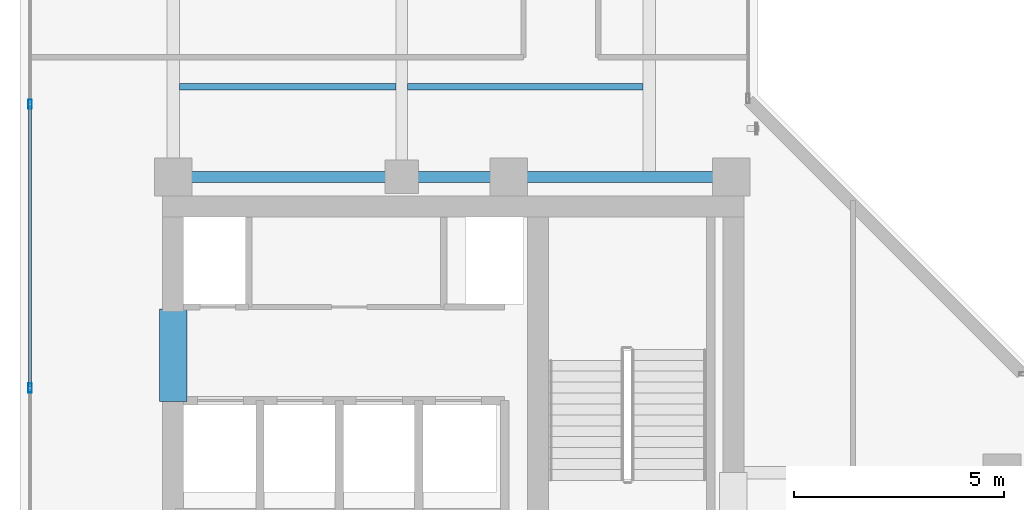
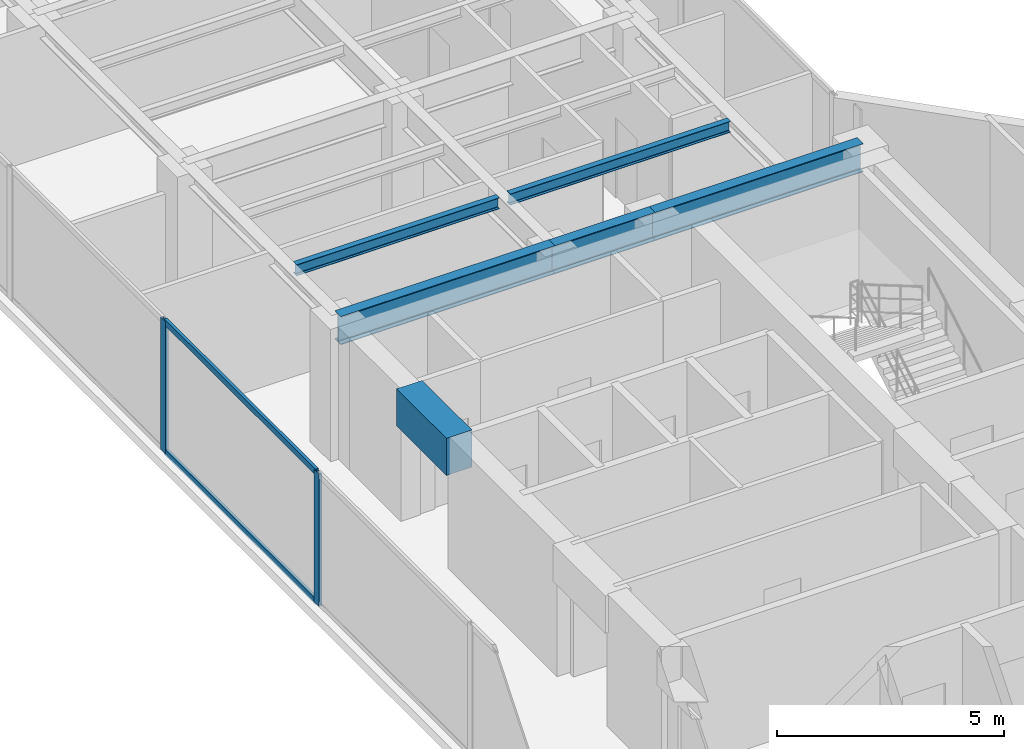
# One storey, part 7 of 22: 6 beams, 4 members, 1 element without a shape of its own.
"""IFC4 building model written with IfcOpenShell, lengths in metres."""

import ifcopenshell
import ifcopenshell.guid

model = None  # the IFC model being written
_history = None  # IfcOwnerHistory: only IFC2X3 demands one
_inside = {}  # id of a spatial element -> (the spatial element, [elements in it])
_under = {}  # id of a project, library or spatial element -> (it, [spatial elements below it])
_declared = {}  # id of a project -> (the project, [libraries it declares])
_typed = {}  # id of a type object -> (the type object, [elements of that type])
_made_of = {}  # id of a material, layer set ... -> (it, [elements and type objects made of it])


def new_model(schema):
    """Start an empty IFC model of exactly this schema.

    Asked for "IFC4X3", IfcOpenShell would pick the latest addendum, in which some entities
    have other attributes; the version numbers below select the first issue.
    IFC2X3 requires an IfcOwnerHistory on every rooted entity: one is made here for all.
    """
    global model, _history
    if schema == "IFC4X3":
        model = ifcopenshell.file(schema_version=(4, 3, 0, 0))
    else:
        model = ifcopenshell.file(schema=schema)
    _inside.clear()
    _under.clear()
    _declared.clear()
    _typed.clear()
    _made_of.clear()
    _history = None
    if model.schema == "IFC2X3":
        org = make("IfcOrganization", Name="unknown")
        user = make(
            "IfcPersonAndOrganization",
            ThePerson=make("IfcPerson", FamilyName="unknown"),
            TheOrganization=org,
        )
        app = make(
            "IfcApplication",
            ApplicationDeveloper=org,
            Version="unknown",
            ApplicationFullName="unknown",
            ApplicationIdentifier="unknown",
        )
        _history = make(
            "IfcOwnerHistory",
            OwningUser=user,
            OwningApplication=app,
            ChangeAction="ADDED",
            CreationDate=0,
        )
    return model


def make(cls, **values):
    """One entity of the class cls with the attributes given. An attribute that is None is left unset."""
    return model.create_entity(
        cls, **{name: value for name, value in values.items() if value is not None}
    )


def rooted(cls, **values):
    """An entity with a GlobalId (a new one), such as an element, a storey or a relation."""
    return make(cls, GlobalId=ifcopenshell.guid.new(), OwnerHistory=_history, **values)


def si_unit(unit_type, name, prefix=None):
    """IfcSIUnit, for example si_unit("LENGTHUNIT", "METRE", prefix="MILLI")."""
    return make("IfcSIUnit", UnitType=unit_type, Prefix=prefix, Name=name)


def assignment(units):
    """IfcUnitAssignment: the units of a project."""
    return None if units is None else make("IfcUnitAssignment", Units=units)


def point(xyz):
    """IfcCartesianPoint."""
    return None if xyz is None else make("IfcCartesianPoint", Coordinates=xyz)


def direction(xyz):
    """IfcDirection."""
    return None if xyz is None else make("IfcDirection", DirectionRatios=xyz)


def frame(location, z_axis=None, x_axis=None):
    """IfcAxis2Placement3D, a coordinate frame: its origin and axes. An axis left out is left unset."""
    return make(
        "IfcAxis2Placement3D",
        Location=point(location),
        Axis=direction(z_axis),
        RefDirection=direction(x_axis),
    )


def frame_2d(location, x_axis=None):
    """IfcAxis2Placement2D, a coordinate frame in the plane: its origin and x axis."""
    return make(
        "IfcAxis2Placement2D", Location=point(location), RefDirection=direction(x_axis)
    )


def origin():
    """The frame at (0, 0, 0) with its axes left unset."""
    return frame((0.0, 0.0, 0.0))


def origin_with_axes():
    """The frame at (0, 0, 0) with the z axis (0, 0, 1) and the x axis (1, 0, 0) written out."""
    return frame((0.0, 0.0, 0.0), z_axis=(0.0, 0.0, 1.0), x_axis=(1.0, 0.0, 0.0))


def origin_2d():
    """The frame at (0, 0) in the plane with its x axis left unset."""
    return frame_2d((0.0, 0.0))


def place(relative_to, where):
    """IfcLocalPlacement: puts the frame where relative to a parent placement (None: the world)."""
    return make(
        "IfcLocalPlacement", PlacementRelTo=relative_to, RelativePlacement=where
    )


def context(
    kind, dimensions, precision=None, world=None, true_north=None, identifier=None
):
    """IfcGeometricRepresentationContext, for example the 3D "Model" context."""
    return make(
        "IfcGeometricRepresentationContext",
        ContextIdentifier=identifier,
        ContextType=kind,
        CoordinateSpaceDimension=dimensions,
        Precision=precision,
        WorldCoordinateSystem=world,
        TrueNorth=true_north,
    )


def subcontext(parent, identifier, kind, view, scale=None):
    """IfcGeometricRepresentationSubContext, for example "Body" below "Model"."""
    return make(
        "IfcGeometricRepresentationSubContext",
        ContextIdentifier=identifier,
        ContextType=kind,
        ParentContext=parent,
        TargetScale=scale,
        TargetView=view,
    )


def project(units=None, contexts=None):
    """IfcProject with its units and contexts."""
    return rooted(
        "IfcProject",
        Name="project",
        RepresentationContexts=contexts,
        UnitsInContext=assignment(units),
    )


def spatial(cls, under=None, at=None, **own):
    """A site, building, storey or space (cls), placed at a placement, below another one or the project."""
    s = rooted(cls, ObjectPlacement=at, **own)
    if under is not None:
        _under.setdefault(under.id(), (under, []))[1].append(s)
    return s


def profile(cls, at=None, kind="AREA", **sizes):
    """A parametric profile (cls). Its sizes go by their IFC names, for example OverallWidth=200.0."""
    return make(cls, ProfileType=kind, Position=at, **sizes)


def rectangle(**sizes):
    """IfcRectangleProfileDef."""
    return profile("IfcRectangleProfileDef", **sizes)


def hollow_rectangle(**sizes):
    """IfcRectangleHollowProfileDef."""
    return profile("IfcRectangleHollowProfileDef", **sizes)


def i_section(**sizes):
    """IfcIShapeProfileDef."""
    return profile("IfcIShapeProfileDef", **sizes)


def extrude(swept, where, along, depth):
    """IfcExtrudedAreaSolid: the profile swept, set in the frame where, extruded along a direction by depth."""
    return make(
        "IfcExtrudedAreaSolid",
        SweptArea=swept,
        Position=where,
        ExtrudedDirection=direction(along),
        Depth=depth,
    )


def shape(context_of_items, identifier, shape_type, items):
    """IfcShapeRepresentation: the items that make up one representation, for example the "Body"."""
    return make(
        "IfcShapeRepresentation",
        ContextOfItems=context_of_items,
        RepresentationIdentifier=identifier,
        RepresentationType=shape_type,
        Items=items,
    )


def source(mapping_origin, context_of_items, identifier, shape_type, items):
    """IfcRepresentationMap: a shape defined once, which mapped items show again and again."""
    return make(
        "IfcRepresentationMap",
        MappingOrigin=mapping_origin,
        MappedRepresentation=shape(context_of_items, identifier, shape_type, items),
    )


def transform(
    local_origin,
    x_axis=None,
    y_axis=None,
    z_axis=None,
    scale=None,
    scale2=None,
    scale3=None,
    uniform=True,
):
    """IfcCartesianTransformationOperator3D, or its non-uniform kind. x_axis, y_axis, z_axis: its Axis1, 2, 3."""
    if uniform:
        return make(
            "IfcCartesianTransformationOperator3D",
            Axis1=direction(x_axis),
            Axis2=direction(y_axis),
            LocalOrigin=point(local_origin),
            Scale=scale,
            Axis3=direction(z_axis),
        )
    return make(
        "IfcCartesianTransformationOperator3DnonUniform",
        Axis1=direction(x_axis),
        Axis2=direction(y_axis),
        LocalOrigin=point(local_origin),
        Scale=scale,
        Axis3=direction(z_axis),
        Scale2=scale2,
        Scale3=scale3,
    )


def mapped(mapping_source, mapping_target):
    """IfcMappedItem: shows the shape of a source again, moved by a transform."""
    return make(
        "IfcMappedItem", MappingSource=mapping_source, MappingTarget=mapping_target
    )


def material(Name=None, Category=None):
    """IfcMaterial."""
    return make("IfcMaterial", Name=Name, Category=Category)


def layer(
    of_material, thickness, ventilated=None, Name=None, Category=None, Priority=None
):
    """IfcMaterialLayer: one layer of a wall or slab, of a material (None: an air gap)."""
    return make(
        "IfcMaterialLayer",
        Material=of_material,
        LayerThickness=thickness,
        IsVentilated=ventilated,
        Name=Name,
        Category=Category,
        Priority=Priority,
    )


def layer_set(layers, Name=None):
    """IfcMaterialLayerSet."""
    return make("IfcMaterialLayerSet", MaterialLayers=layers, LayerSetName=Name)


def material_profile(
    of_material, cross_section, Name=None, Category=None, Priority=None
):
    """IfcMaterialProfile: a cross section and its material."""
    return make(
        "IfcMaterialProfile",
        Name=Name,
        Material=of_material,
        Profile=cross_section,
        Priority=Priority,
        Category=Category,
    )


def profile_set(profiles, Name=None, composite=None):
    """IfcMaterialProfileSet."""
    return make(
        "IfcMaterialProfileSet",
        Name=Name,
        MaterialProfiles=profiles,
        CompositeProfile=composite,
    )


def made_of(thing, what):
    """Note that an element or type object is made of a material, layer set ...; save() writes the relation."""
    if what is not None:
        _made_of.setdefault(what.id(), (what, []))[1].append(thing)
    return thing


def type_object(cls, material=None, **own):
    """A type object (cls), such as IfcWallType, which elements share."""
    return made_of(rooted(cls, **own), material)


def element(
    cls,
    number,
    at=None,
    inside=None,
    cuts=None,
    type_object=None,
    material=None,
    context=None,
    identifier="Body",
    shape_type=None,
    held_by="IfcProductDefinitionShape",
    body=None,
    shapes=None,
    **own,
):
    """One element of the class cls, such as IfcWall. Its Tag is "e" and its number.

    at: its placement. inside: the storey or other place that contains it. cuts: it is an
    opening in that element (IfcRelVoidsElement). A single representation is given by context,
    identifier, shape_type and body (its items); several are given by shapes. held_by: the class
    of the entity that holds the representations. save() writes the other relations.
    """
    e = rooted(cls, Tag="e%d" % number, ObjectPlacement=at, **own)
    if body is not None:
        shapes = [shape(context, identifier, shape_type, body)]
    if shapes is not None:
        e.Representation = make(held_by, Representations=shapes)
    if inside is not None:
        _inside.setdefault(inside.id(), (inside, []))[1].append(e)
    if cuts is not None:
        rooted(
            "IfcRelVoidsElement", RelatingBuildingElement=cuts, RelatedOpeningElement=e
        )
    if type_object is not None:
        _typed.setdefault(type_object.id(), (type_object, []))[1].append(e)
    return made_of(e, material)


def aggregate(whole, parts):
    """IfcRelAggregates: a whole, such as a stair, and the parts it consists of."""
    return rooted("IfcRelAggregates", RelatingObject=whole, RelatedObjects=parts)


def save(model, path):
    """Write the relations noted so far, then the file.

    IfcRelAggregates (storeys below a building ...), IfcRelContainedInSpatialStructure (elements
    in a storey), IfcRelDefinesByType, IfcRelAssociatesMaterial and IfcRelDeclares: one each for
    every whole, place, type object, material and project.
    """
    for whole, parts in _under.values():
        aggregate(whole, parts)
    for where, things in _inside.values():
        rooted(
            "IfcRelContainedInSpatialStructure",
            RelatedElements=things,
            RelatingStructure=where,
        )
    for kind, things in _typed.values():
        rooted("IfcRelDefinesByType", RelatedObjects=things, RelatingType=kind)
    for what, things in _made_of.values():
        rooted("IfcRelAssociatesMaterial", RelatedObjects=things, RelatingMaterial=what)
    for by, libraries in _declared.values():
        rooted("IfcRelDeclares", RelatingContext=by, RelatedDefinitions=libraries)
    model.write(path)


model = new_model("IFC4")

# Units and contexts
model_context = context("Model", 3, precision=1e-05, world=origin(), true_north=direction((0.0, 1.0)))
body_context = subcontext(model_context, "Body", "Model", "MODEL_VIEW")
ifc_project = project(units=[si_unit("LENGTHUNIT", "METRE"), si_unit("AREAUNIT", "SQUARE_METRE"), si_unit("VOLUMEUNIT", "CUBIC_METRE"), si_unit("PLANEANGLEUNIT", "RADIAN"), si_unit("MASSUNIT", "GRAM", prefix="KILO")], contexts=[model_context])

# Site, building, storey
site_placement = place(None, origin())
site = spatial("IfcSite", under=ifc_project, at=site_placement, CompositionType="ELEMENT")
building_placement = place(site_placement, origin())
building = spatial("IfcBuilding", under=site, at=building_placement, Name="Kolvaren Waterfront Exchange", CompositionType="ELEMENT")
storey_placement = place(building_placement, frame((0.0, 0.0, 266.60009765625)))
storey = spatial("IfcBuildingStorey", under=building, at=storey_placement, Name="L68", CompositionType="ELEMENT", Elevation=266.60009765625)

# Beams
ifc_material_1 = material(Name="Steel S355", Category="steel")
ifc_material_profile_1 = material_profile(ifc_material_1, i_section(OverallWidth=0.14990234375, OverallDepth=0.300048828125, WebThickness=0.007080078125, FlangeThickness=0.0107421875, FilletRadius=0.014892578125, at=origin_2d()), Name="IPE300")
ifc_profile_set_1 = profile_set([ifc_material_profile_1], Name="Steel S355")
beam_type_1 = type_object("IfcBeamType", Name="STR-BM-IPE300", PredefinedType="JOIST", material=ifc_profile_set_1)
beam_1_placement = place(storey_placement, frame((7.60205078125, 26.60009765625, 3.409912109375), z_axis=(1.0, 0.0, 0.0), x_axis=(0.0, 1.0, 0.0)))
element("IfcBeam", 1, at=beam_1_placement, inside=storey, type_object=beam_type_1, Name="L68 north-arm composite joist 1A", PredefinedType="JOIST", context=body_context, shape_type="SweptSolid", body=[
    extrude(i_section(OverallWidth=0.14990234375, OverallDepth=0.300048828125, WebThickness=0.007080078125, FlangeThickness=0.0107421875, FilletRadius=0.014892578125, at=origin_2d()), origin(), (0.0, 0.0, 1.0), 5.162353515625),
])
beam_2_placement = place(storey_placement, frame((13.035400390625, 26.60009765625, 3.409912109375), z_axis=(1.0, 0.0, 0.0), x_axis=(0.0, 1.0, 0.0)))
element("IfcBeam", 2, at=beam_2_placement, inside=storey, type_object=beam_type_1, Name="L68 north-arm composite joist 1B", PredefinedType="JOIST", context=body_context, shape_type="SweptSolid", body=[
    extrude(i_section(OverallWidth=0.14990234375, OverallDepth=0.300048828125, WebThickness=0.007080078125, FlangeThickness=0.0107421875, FilletRadius=0.014892578125, at=origin_2d()), origin(), (0.0, 0.0, 1.0), 5.612548828125),
])
ifc_material_profile_2 = material_profile(ifc_material_1, i_section(OverallWidth=0.26708984375, OverallDepth=0.761962890625, WebThickness=0.014404296875, FlangeThickness=0.021484375, FilletRadius=0.01708984375, at=origin_2d()), Name="IPE750x173")
ifc_profile_set_2 = profile_set([ifc_material_profile_2], Name="Steel S355")
beam_type_2 = type_object("IfcBeamType", Name="STR-BM-IPE750", PredefinedType="BEAM", material=ifc_profile_set_2)
beam_3_placement = place(storey_placement, frame((7.449951171875, 24.449951171875, 3.178955078125), z_axis=(1.0, 0.0, 0.0), x_axis=(0.0, 1.0, 0.0)))
element("IfcBeam", 3, at=beam_3_placement, inside=storey, type_object=beam_type_2, Name="L68 north-arm girder 1A", PredefinedType="BEAM", context=body_context, shape_type="SweptSolid", body=[
    extrude(i_section(OverallWidth=0.26708984375, OverallDepth=0.761962890625, WebThickness=0.014404296875, FlangeThickness=0.021484375, FilletRadius=0.01708984375, at=origin_2d()), origin(), (0.0, 0.0, 1.0), 5.449951171875),
])
beam_4_placement = place(storey_placement, frame((12.89990234375, 24.449951171875, 3.178955078125), z_axis=(1.0, 0.0, 0.0), x_axis=(0.0, 1.0, 0.0)))
element("IfcBeam", 4, at=beam_4_placement, inside=storey, type_object=beam_type_2, Name="L68 north-arm girder 1B", PredefinedType="BEAM", context=body_context, shape_type="SweptSolid", body=[
    extrude(i_section(OverallWidth=0.26708984375, OverallDepth=0.761962890625, WebThickness=0.014404296875, FlangeThickness=0.021484375, FilletRadius=0.01708984375, at=origin_2d()), origin(), (0.0, 0.0, 1.0), 2.550048828125),
])
beam_5_placement = place(storey_placement, frame((15.449951171875, 24.449951171875, 3.178955078125), z_axis=(1.0, 0.0, 0.0), x_axis=(0.0, 1.0, 0.0)))
element("IfcBeam", 5, at=beam_5_placement, inside=storey, type_object=beam_type_2, Name="L68 north-arm girder 1C", PredefinedType="BEAM", context=body_context, shape_type="SweptSolid", body=[
    extrude(i_section(OverallWidth=0.26708984375, OverallDepth=0.761962890625, WebThickness=0.014404296875, FlangeThickness=0.021484375, FilletRadius=0.01708984375, at=origin_2d()), origin(), (0.0, 0.0, 1.0), 5.300048828125),
])
ifc_material_2 = material(Name="Concrete C60/75", Category="concrete")
ifc_material_profile_3 = material_profile(ifc_material_2, rectangle(XDim=0.64990234375, YDim=1.0, at=origin_2d()), Name="RC-CB-1000x650")
ifc_profile_set_3 = profile_set([ifc_material_profile_3], Name="Concrete C60/75")
beam_type_3 = type_object("IfcBeamType", Name="STR-CB-1000", PredefinedType="SPANDREL", material=ifc_profile_set_3)
beam_6_placement = place(storey_placement, frame((7.449951171875, 19.10009765625, 3.059814453125), z_axis=(0.0, 1.0, 0.0), x_axis=(-1.0, 0.0, 0.0)))
element("IfcBeam", 6, at=beam_6_placement, inside=storey, type_object=beam_type_3, Name="L68 core coupling beam 5", PredefinedType="SPANDREL", context=body_context, shape_type="SweptSolid", body=[
    extrude(rectangle(XDim=0.64990234375, YDim=1.0, at=origin_2d()), origin(), (0.0, 0.0, 1.0), 2.199951171875),
])

# Curtain wall, members
ifc_material_3 = material(Name="Anodised aluminium 6063-T6", Category="aluminium")
ifc_layer = layer(ifc_material_3, 0.219970703125, Name="Anodised aluminium 6063-T6")
ifc_layer_set = layer_set([ifc_layer], Name="Anodised aluminium 6063-T6")
curtain_wall_type = type_object("IfcCurtainWallType", Name="ARC-CW-SYS2", PredefinedType="USERDEFINED", material=ifc_layer_set)
curtain_wall_placement = place(storey_placement, origin())
curtain_wall = element("IfcCurtainWall", 7, at=curtain_wall_placement, inside=storey, type_object=curtain_wall_type, Name="L68 stick curtain wall CW2 (CW-L68-W)", ObjectType="STICK CURTAIN WALL", PredefinedType="USERDEFINED")
ifc_material_profile_4 = material_profile(ifc_material_3, hollow_rectangle(XDim=0.080078125, YDim=0.219970703125, WallThickness=0.0048828125, at=origin_2d()), Name="ALU-MUL-220x80x5")
ifc_profile_set_4 = profile_set([ifc_material_profile_4], Name="Anodised aluminium 6063-T6")
member_type_1 = type_object("IfcMemberType", Name="ARC-CWM-220", PredefinedType="MULLION", material=ifc_profile_set_4)
shared_shape_1 = source(origin_with_axes(), body_context, "Body", "SweptSolid", [
    extrude(hollow_rectangle(XDim=0.080078125, YDim=0.219970703125, WallThickness=0.0048828125, at=origin_2d()), origin(), (0.0, 0.0, 1.0), 3.559814453125),
])
member_1_placement = place(storey_placement, frame((4.0400390625, 19.421142578125, 0.0), z_axis=(0.0, 0.0, 1.0), x_axis=(-1.0, 0.0, 0.0)))
member_1 = element("IfcMember", 8, at=member_1_placement, type_object=member_type_1, Name="CW2 mullion 3", PredefinedType="MULLION", context=body_context, shape_type="MappedRepresentation", body=[
    mapped(shared_shape_1, transform((0.0, 0.0, 0.0), x_axis=(1.0, 0.0, 0.0), y_axis=(0.0, 1.0, 0.0), z_axis=(0.0, 0.0, 1.0), scale=1.0)),
])
member_2_placement = place(storey_placement, frame((4.0400390625, 26.181640625, 0.0), z_axis=(0.0, 0.0, 1.0), x_axis=(-1.0, 0.0, 0.0)))
member_2 = element("IfcMember", 9, at=member_2_placement, type_object=member_type_1, Name="CW2 mullion 4", PredefinedType="MULLION", context=body_context, shape_type="MappedRepresentation", body=[
    mapped(shared_shape_1, transform((0.0, 0.0, 0.0), x_axis=(1.0, 0.0, 0.0), y_axis=(0.0, 1.0, 0.0), z_axis=(0.0, 0.0, 1.0), scale=1.0)),
])
ifc_material_profile_5 = material_profile(ifc_material_3, hollow_rectangle(XDim=0.074951171875, YDim=0.159912109375, WallThickness=0.00439453125, at=origin_2d()), Name="ALU-TRN-160x75x4.5")
ifc_profile_set_5 = profile_set([ifc_material_profile_5], Name="Anodised aluminium 6063-T6")
member_type_2 = type_object("IfcMemberType", Name="ARC-CWT-160", PredefinedType="USERDEFINED", material=ifc_profile_set_5)
shared_shape_2 = source(origin_with_axes(), body_context, "Body", "SweptSolid", [
    extrude(hollow_rectangle(XDim=0.074951171875, YDim=0.159912109375, WallThickness=0.00439453125, at=origin_2d()), origin(), (0.0, 0.0, 1.0), 6.680419921875),
])
member_3_placement = place(storey_placement, frame((4.0400390625, 19.461181640625, 0.037353515625), z_axis=(0.0, 1.0, 0.0), x_axis=(-1.0, 0.0, 0.0)))
member_3 = element("IfcMember", 10, at=member_3_placement, type_object=member_type_2, Name="CW2 transom 3.1", ObjectType="TRANSOM", PredefinedType="USERDEFINED", context=body_context, shape_type="MappedRepresentation", body=[
    mapped(shared_shape_2, transform((0.0, 0.0, 0.0), x_axis=(1.0, 0.0, 0.0), y_axis=(0.0, 1.0, 0.0), z_axis=(0.0, 0.0, 1.0), scale=1.0)),
])
member_4_placement = place(storey_placement, frame((4.0400390625, 19.461181640625, 3.5224609375), z_axis=(0.0, 1.0, 0.0), x_axis=(-1.0, 0.0, 0.0)))
member_4 = element("IfcMember", 11, at=member_4_placement, type_object=member_type_2, Name="CW2 transom 3.2", ObjectType="TRANSOM", PredefinedType="USERDEFINED", context=body_context, shape_type="MappedRepresentation", body=[
    mapped(shared_shape_2, transform((0.0, 0.0, 0.0), x_axis=(1.0, 0.0, 0.0), y_axis=(0.0, 1.0, 0.0), z_axis=(0.0, 0.0, 1.0), scale=1.0)),
])
aggregate(curtain_wall, [member_1, member_2, member_3, member_4])

save(model, "model.ifc")
